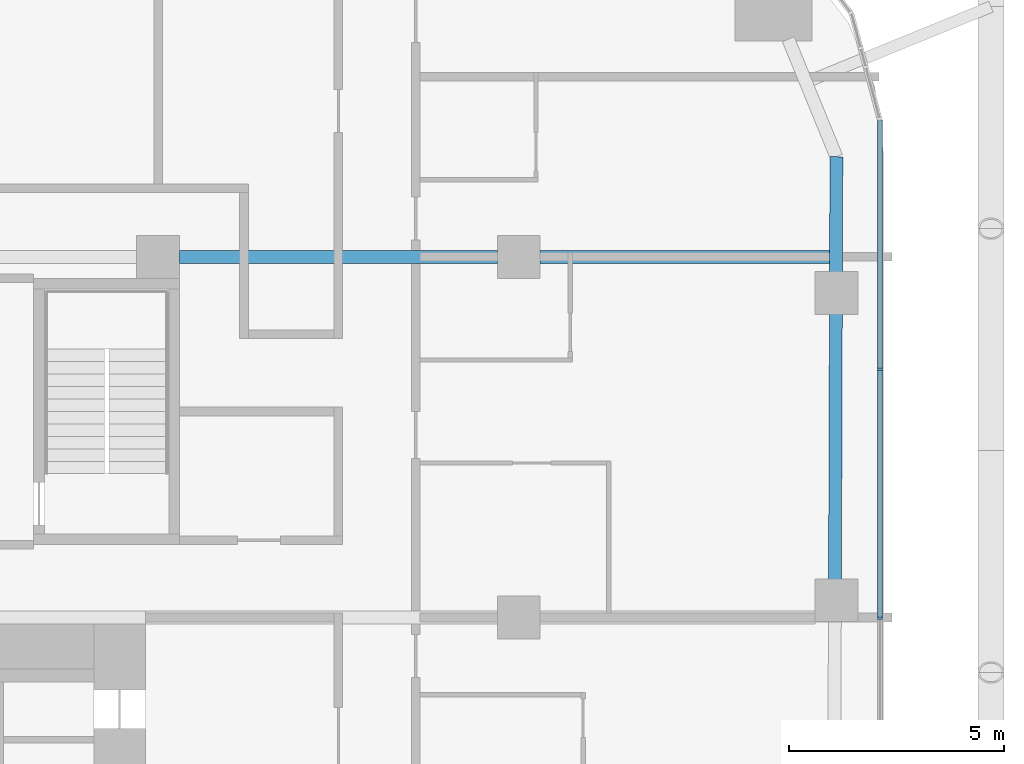
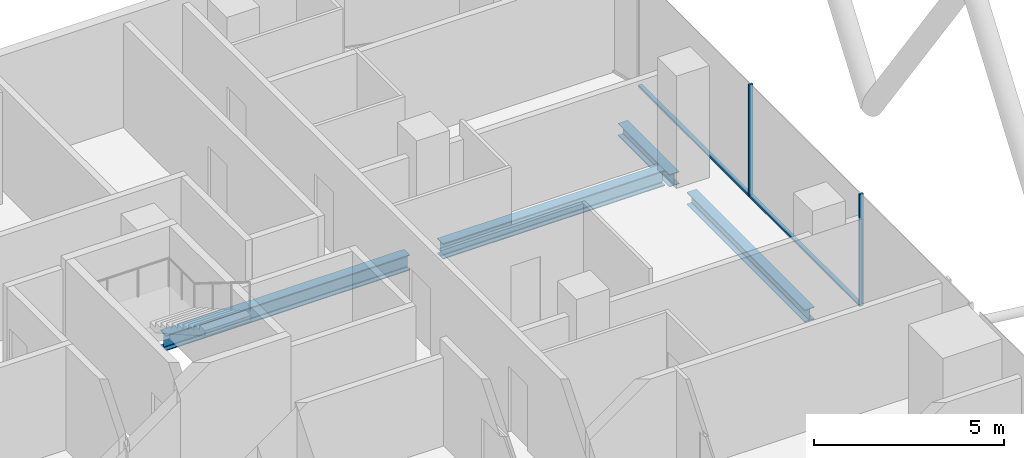
# One storey, part 12 of 38: 4 beams, 4 members, 1 element without a shape of its own.
"""IFC4 building model written with IfcOpenShell, lengths in metres."""

from ifc_helpers import new_model, si_unit, direction, frame, origin, origin_2d, place, context, subcontext, project, spatial, rectangle, i_section, extrude, material, layer, layer_set, material_profile, profile_set, type_object, element, aggregate, save


model = new_model("IFC4")

# Units and contexts
model_context = context("Model", 3, precision=1e-05, world=origin(), true_north=direction((0.0, 1.0)))
body_context = subcontext(model_context, "Body", "Model", "MODEL_VIEW")
ifc_project = project(units=[si_unit("LENGTHUNIT", "METRE"), si_unit("AREAUNIT", "SQUARE_METRE"), si_unit("VOLUMEUNIT", "CUBIC_METRE"), si_unit("PLANEANGLEUNIT", "RADIAN"), si_unit("MASSUNIT", "GRAM", prefix="KILO")], contexts=[model_context])

# Site, building, storey
site_placement = place(None, origin())
site = spatial("IfcSite", under=ifc_project, at=site_placement, CompositionType="ELEMENT")
building_placement = place(site_placement, origin())
building = spatial("IfcBuilding", under=site, at=building_placement, Name="Marenta Gate Hotel Tower", CompositionType="ELEMENT")
storey_placement = place(building_placement, frame((0.0, 0.0, 40.10009765625)))
storey = spatial("IfcBuildingStorey", under=building, at=storey_placement, Name="L07", CompositionType="ELEMENT", Elevation=40.10009765625)

# Beams
ifc_material_1 = material(Name="Steel S355", Category="steel")
ifc_material_profile_1 = material_profile(ifc_material_1, i_section(OverallWidth=0.300048828125, OverallDepth=0.39990234375, WebThickness=0.013427734375, FlangeThickness=0.02392578125, FilletRadius=0.027099609375, at=origin_2d()), Name="HEB 400")
ifc_profile_set_1 = profile_set([ifc_material_profile_1], Name="Steel S355")
beam_type_1 = type_object("IfcBeamType", Name="Edge beam HEB 400", PredefinedType="SPANDREL", material=ifc_profile_set_1)
beam_1_placement = place(storey_placement, frame((28.39990234375, 27.534423828125, -0.460205078125), z_axis=(-0.003323434444, -0.999994477376, 0.0), x_axis=(0.999994477376, -0.003323434444, 0.0)))
element("IfcBeam", 1, at=beam_1_placement, inside=storey, type_object=beam_type_1, Name="L07-EB-22", PredefinedType="SPANDREL", context=body_context, shape_type="SweptSolid", body=[
    extrude(i_section(OverallWidth=0.300048828125, OverallDepth=0.39990234375, WebThickness=0.013427734375, FlangeThickness=0.02392578125, FilletRadius=0.027099609375, at=origin_2d()), origin(), (0.0, 0.0, 1.0), 2.718017578125),
])
beam_2_placement = place(storey_placement, frame((28.387939453125, 23.896484375, -0.460205078125), z_axis=(-0.003329137121, -0.999994458408, 0.0), x_axis=(0.999994458408, -0.003329137121, 0.0)))
element("IfcBeam", 2, at=beam_2_placement, inside=storey, type_object=beam_type_1, Name="L07-EB-23", PredefinedType="SPANDREL", context=body_context, shape_type="SweptSolid", body=[
    extrude(i_section(OverallWidth=0.300048828125, OverallDepth=0.39990234375, WebThickness=0.013427734375, FlangeThickness=0.02392578125, FilletRadius=0.027099609375, at=origin_2d()), origin(), (0.0, 0.0, 1.0), 6.2333984375),
])
ifc_material_2 = material(Name="Steel S355", Category="steel")
ifc_material_profile_2 = material_profile(ifc_material_2, i_section(OverallWidth=0.300048828125, OverallDepth=0.5, WebThickness=0.014404296875, FlangeThickness=0.028076171875, FilletRadius=0.027099609375, at=origin_2d()), Name="HEB 500")
ifc_profile_set_2 = profile_set([ifc_material_profile_2], Name="Steel S355")
beam_type_2 = type_object("IfcBeamType", Name="Girder HEB 500", PredefinedType="BEAM", material=ifc_profile_set_2)
beam_3_placement = place(storey_placement, frame((13.10009765625, 25.199951171875, -0.510009765625), z_axis=(1.0, 0.0, 0.0), x_axis=(0.0, 1.0, 0.0)))
element("IfcBeam", 3, at=beam_3_placement, inside=storey, type_object=beam_type_2, Name="L07-GD-27", PredefinedType="BEAM", context=body_context, shape_type="SweptSolid", body=[
    extrude(i_section(OverallWidth=0.300048828125, OverallDepth=0.5, WebThickness=0.014404296875, FlangeThickness=0.028076171875, FilletRadius=0.027099609375, at=origin_2d()), origin(), (0.0, 0.0, 1.0), 7.39990234375),
])
beam_4_placement = place(storey_placement, frame((21.5, 25.199951171875, -0.510009765625), z_axis=(1.0, 0.0, 0.0), x_axis=(0.0, 1.0, 0.0)))
element("IfcBeam", 4, at=beam_4_placement, inside=storey, type_object=beam_type_2, Name="L07-GD-28", PredefinedType="BEAM", context=body_context, shape_type="SweptSolid", body=[
    extrude(i_section(OverallWidth=0.300048828125, OverallDepth=0.5, WebThickness=0.014404296875, FlangeThickness=0.028076171875, FilletRadius=0.027099609375, at=origin_2d()), origin(), (0.0, 0.0, 1.0), 6.7421875),
])

# Curtain wall, members
ifc_material_3 = material(Name="Tinted insulated glass in bronze anodised frame", Category="glass")
ifc_layer = layer(ifc_material_3, 0.1201171875)
ifc_layer_set = layer_set([ifc_layer], Name="Tinted insulated glass in bronze anodised frame")
curtain_wall_type = type_object("IfcCurtainWallType", Name="Tower unitised curtain wall CW1", PredefinedType="NOTDEFINED", material=ifc_layer_set)
curtain_wall_placement = place(storey_placement, origin())
curtain_wall = element("IfcCurtainWall", 5, at=curtain_wall_placement, inside=storey, type_object=curtain_wall_type, Name="CW1 run G34", PredefinedType="NOTDEFINED")
ifc_material_4 = material(Name="Bronze anodised aluminium", Category="aluminium")
ifc_material_profile_3 = material_profile(ifc_material_4, rectangle(XDim=0.1201171875, YDim=0.06005859375, at=origin_2d()), Name="Mullion CW1 60x120 bronze anodised aluminium")
ifc_profile_set_3 = profile_set([ifc_material_profile_3], Name="Bronze anodised aluminium")
member_type_1 = type_object("IfcMemberType", Name="Mullion CW1 60x120 bronze anodised aluminium", PredefinedType="MULLION", material=ifc_profile_set_3)
member_1_placement = place(storey_placement, frame((29.4140625, 16.78076171875, 0.0), z_axis=(0.0, 0.0, 1.0), x_axis=(-1.0, 0.0, 0.0)))
member_1 = element("IfcMember", 6, at=member_1_placement, type_object=member_type_1, Name="CW1 mullion 2", PredefinedType="MULLION", context=body_context, shape_type="SweptSolid", body=[
    extrude(rectangle(XDim=0.1201171875, YDim=0.06005859375, at=origin_2d()), origin(), (0.0, 0.0, 1.0), 3.599853515625),
])
member_2_placement = place(storey_placement, frame((29.4140625, 22.58642578125, 0.0), z_axis=(0.0, 0.0, 1.0), x_axis=(-1.0, 0.0, 0.0)))
member_2 = element("IfcMember", 7, at=member_2_placement, type_object=member_type_1, Name="CW1 mullion 3", PredefinedType="MULLION", context=body_context, shape_type="SweptSolid", body=[
    extrude(rectangle(XDim=0.1201171875, YDim=0.06005859375, at=origin_2d()), origin(), (0.0, 0.0, 1.0), 3.599853515625),
])
ifc_material_5 = material(Name="Bronze anodised aluminium", Category="aluminium")
ifc_material_profile_4 = material_profile(ifc_material_5, rectangle(XDim=0.1201171875, YDim=0.06005859375, at=origin_2d()), Name="Transom CW1 60x120 bronze anodised aluminium")
ifc_profile_set_4 = profile_set([ifc_material_profile_4], Name="Bronze anodised aluminium")
member_type_2 = type_object("IfcMemberType", Name="Transom CW1 60x120 bronze anodised aluminium", PredefinedType="USERDEFINED", material=ifc_profile_set_4)
member_3_placement = place(storey_placement, frame((29.4140625, 16.810791015625, 0.02978515625), z_axis=(0.0, 1.0, 0.0), x_axis=(-1.0, 0.0, 0.0)))
member_3 = element("IfcMember", 8, at=member_3_placement, type_object=member_type_2, Name="CW1 transom 2.1", ObjectType="TRANSOM", PredefinedType="USERDEFINED", context=body_context, shape_type="SweptSolid", body=[
    extrude(rectangle(XDim=0.1201171875, YDim=0.06005859375, at=origin_2d()), origin(), (0.0, 0.0, 1.0), 5.74560546875),
])
member_4_placement = place(storey_placement, frame((29.4140625, 22.616455078125, 0.02978515625), z_axis=(0.0, 1.0, 0.0), x_axis=(-1.0, 0.0, 0.0)))
member_4 = element("IfcMember", 9, at=member_4_placement, type_object=member_type_2, Name="CW1 transom 3.1", ObjectType="TRANSOM", PredefinedType="USERDEFINED", context=body_context, shape_type="SweptSolid", body=[
    extrude(rectangle(XDim=0.1201171875, YDim=0.06005859375, at=origin_2d()), origin(), (0.0, 0.0, 1.0), 5.775390625),
])
aggregate(curtain_wall, [member_1, member_2, member_3, member_4])

save(model, "model.ifc")
